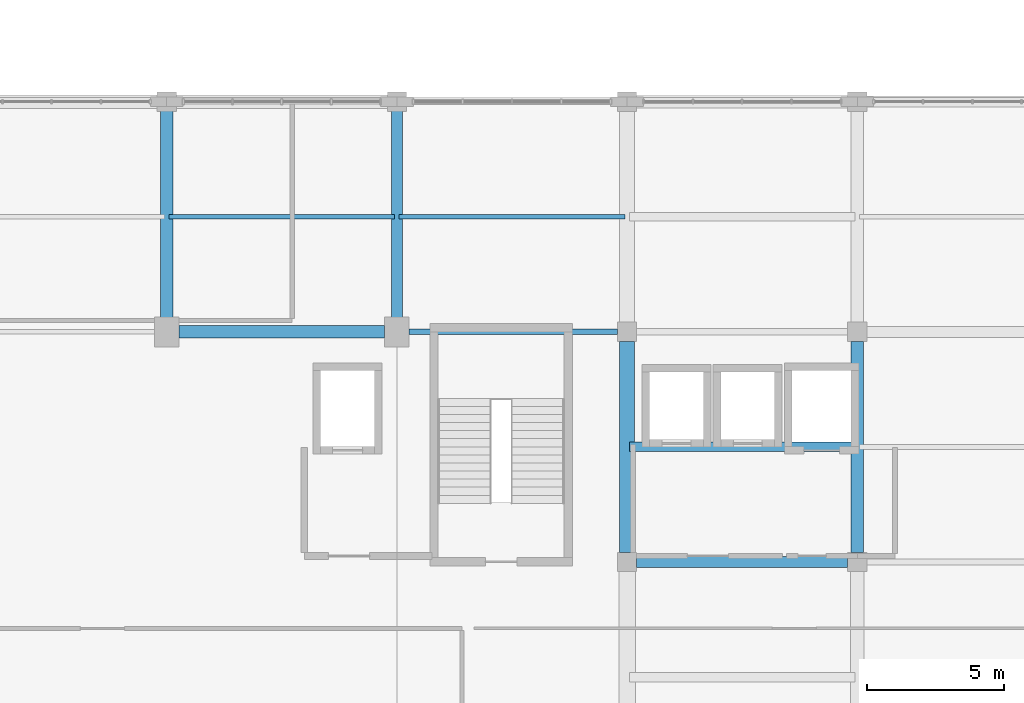
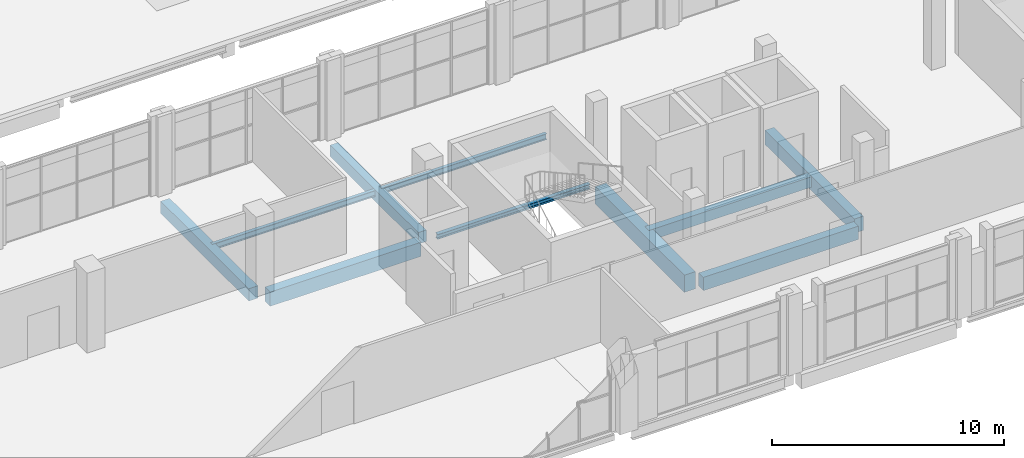
# One storey, part 20 of 64: 10 beams.
"""IFC4 building model written with IfcOpenShell, lengths in metres."""

from ifc_helpers import new_model, si_unit, derived_unit, direction, frame, origin, origin_2d, place, context, subcontext, project, spatial, rectangle, i_section, extrude, material, material_profile, profile_set, type_object, element, save


model = new_model("IFC4")

# Units and contexts
model_context = context("Model", 3, precision=1e-05, world=origin(), true_north=direction((0.0, 1.0)))
body_context = subcontext(model_context, "Body", "Model", "MODEL_VIEW")
ifc_project = project(units=[si_unit("LENGTHUNIT", "METRE"), si_unit("AREAUNIT", "SQUARE_METRE"), si_unit("VOLUMEUNIT", "CUBIC_METRE"), si_unit("PLANEANGLEUNIT", "RADIAN"), si_unit("MASSUNIT", "GRAM", prefix="KILO"), derived_unit("THERMALTRANSMITTANCEUNIT", [(si_unit("POWERUNIT", "WATT"), 1), (si_unit("LENGTHUNIT", "METRE"), -2), (si_unit("THERMODYNAMICTEMPERATUREUNIT", "KELVIN"), -1)])], contexts=[model_context])

# Site, building, storey
site_placement = place(None, origin())
site = spatial("IfcSite", under=ifc_project, at=site_placement, CompositionType="ELEMENT")
building_placement = place(site_placement, origin())
building = spatial("IfcBuilding", under=site, at=building_placement, Name="Barrovel Congress Hotel", CompositionType="ELEMENT")
storey_placement = place(building_placement, frame((0.0, 0.0, 14.10009765625)))
storey = spatial("IfcBuildingStorey", under=building, at=storey_placement, Name="L03", CompositionType="ELEMENT", Elevation=14.10009765625)

# Beams
ifc_material_1 = material(Name="Concrete C40", Category="concrete")
ifc_material_profile_1 = material_profile(ifc_material_1, rectangle(XDim=0.35009765625, YDim=0.550048828125, at=origin_2d()), Name="RC350x550")
ifc_profile_set_1 = profile_set([ifc_material_profile_1], Name="Concrete C40")
beam_type_1 = type_object("IfcBeamType", Name="BM-RC350x550", PredefinedType="JOIST", material=ifc_profile_set_1)
beam_1_placement = place(storey_placement, frame((84.080078125, 16.800048828125, -0.51513671875), z_axis=(1.0, 0.0, 0.0), x_axis=(0.0, 1.0, 0.0)))
element("IfcBeam", 1, at=beam_1_placement, inside=storey, type_object=beam_type_1, Name="JST:L03:84.0:16.8", PredefinedType="JOIST", context=body_context, shape_type="SweptSolid", body=[
    extrude(rectangle(XDim=0.35009765625, YDim=0.550048828125, at=origin_2d()), origin(), (0.0, 0.0, 1.0), 8.239990234375),
])
ifc_material_profile_2 = material_profile(ifc_material_1, rectangle(XDim=0.39990234375, YDim=0.60009765625, at=origin_2d()), Name="RC400x600")
ifc_profile_set_2 = profile_set([ifc_material_profile_2], Name="Concrete C40")
beam_type_2 = type_object("IfcBeamType", Name="BM-RC400x600", PredefinedType="BEAM", material=ifc_profile_set_2)
beam_2_placement = place(storey_placement, frame((75.60009765625, 21.449951171875, -0.5400390625), z_axis=(0.0, 1.0, 0.0), x_axis=(-1.0, 0.0, 0.0)))
element("IfcBeam", 2, at=beam_2_placement, inside=storey, type_object=beam_type_2, Name="BMY:L03:75.6:21.0-29.4", PredefinedType="BEAM", context=body_context, shape_type="SweptSolid", body=[
    extrude(rectangle(XDim=0.39990234375, YDim=0.60009765625, at=origin_2d()), origin(), (0.0, 0.0, 1.0), 7.60009765625),
])
ifc_material_profile_3 = material_profile(ifc_material_1, rectangle(XDim=0.39990234375, YDim=0.699951171875, at=origin_2d()), Name="RC400x700")
ifc_profile_set_3 = profile_set([ifc_material_profile_3], Name="Concrete C40")
beam_type_3 = type_object("IfcBeamType", Name="BM-RC400x700", PredefinedType="BEAM", material=ifc_profile_set_3)
beam_3_placement = place(storey_placement, frame((84.35009765625, 12.60009765625, -0.590087890625), z_axis=(1.0, 0.0, 0.0), x_axis=(0.0, 1.0, 0.0)))
element("IfcBeam", 3, at=beam_3_placement, inside=storey, type_object=beam_type_3, Name="BMX:L03:12.6:84.0-92.4", PredefinedType="BEAM", context=body_context, shape_type="SweptSolid", body=[
    extrude(rectangle(XDim=0.39990234375, YDim=0.699951171875, at=origin_2d()), origin(), (0.0, 0.0, 1.0), 7.699951171875),
])
ifc_material_profile_4 = material_profile(ifc_material_1, rectangle(XDim=0.449951171875, YDim=0.64990234375, at=origin_2d()), Name="RC450x650")
ifc_profile_set_4 = profile_set([ifc_material_profile_4], Name="Concrete C40")
beam_type_4 = type_object("IfcBeamType", Name="BM-RC450x650", PredefinedType="BEAM", material=ifc_profile_set_4)
beam_4_placement = place(storey_placement, frame((67.199951171875, 21.449951171875, -0.565185546875), z_axis=(0.0, 1.0, 0.0), x_axis=(-1.0, 0.0, 0.0)))
element("IfcBeam", 4, at=beam_4_placement, inside=storey, type_object=beam_type_4, Name="BMY:L03:67.2:21.0-29.4", PredefinedType="BEAM", context=body_context, shape_type="SweptSolid", body=[
    extrude(rectangle(XDim=0.449951171875, YDim=0.64990234375, at=origin_2d()), origin(), (0.0, 0.0, 1.0), 7.60009765625),
])
ifc_material_profile_5 = material_profile(ifc_material_1, rectangle(XDim=0.449951171875, YDim=0.75, at=origin_2d()), Name="RC450x750")
ifc_profile_set_5 = profile_set([ifc_material_profile_5], Name="Concrete C40")
beam_type_5 = type_object("IfcBeamType", Name="BM-RC450x750", PredefinedType="BEAM", material=ifc_profile_set_5)
beam_5_placement = place(storey_placement, frame((67.64990234375, 21.0, -0.614990234375), z_axis=(1.0, 0.0, 0.0), x_axis=(0.0, 1.0, 0.0)))
element("IfcBeam", 5, at=beam_5_placement, inside=storey, type_object=beam_type_5, Name="BMX:L03:21.0:67.2-75.6", PredefinedType="BEAM", context=body_context, shape_type="SweptSolid", body=[
    extrude(rectangle(XDim=0.449951171875, YDim=0.75, at=origin_2d()), origin(), (0.0, 0.0, 1.0), 7.5),
])
beam_6_placement = place(storey_placement, frame((92.39990234375, 12.949951171875, -0.614990234375), z_axis=(0.0, 1.0, 0.0), x_axis=(-1.0, 0.0, 0.0)))
element("IfcBeam", 6, at=beam_6_placement, inside=storey, type_object=beam_type_5, Name="BMY:L03:92.4:12.6-21.0", PredefinedType="BEAM", context=body_context, shape_type="SweptSolid", body=[
    extrude(rectangle(XDim=0.449951171875, YDim=0.75, at=origin_2d()), origin(), (0.0, 0.0, 1.0), 7.699951171875),
])
ifc_material_profile_6 = material_profile(ifc_material_1, rectangle(XDim=0.550048828125, YDim=0.89990234375, at=origin_2d()), Name="RC550x900")
ifc_profile_set_6 = profile_set([ifc_material_profile_6], Name="Concrete C40")
beam_type_6 = type_object("IfcBeamType", Name="BM-RC550x900", PredefinedType="BEAM", material=ifc_profile_set_6)
beam_7_placement = place(storey_placement, frame((84.0, 12.949951171875, -0.690185546875), z_axis=(0.0, 1.0, 0.0), x_axis=(-1.0, 0.0, 0.0)))
element("IfcBeam", 7, at=beam_7_placement, inside=storey, type_object=beam_type_6, Name="BMY:L03:84.0:12.6-21.0", PredefinedType="BEAM", context=body_context, shape_type="SweptSolid", body=[
    extrude(rectangle(XDim=0.550048828125, YDim=0.89990234375, at=origin_2d()), origin(), (0.0, 0.0, 1.0), 7.699951171875),
])
ifc_material_2 = material(Name="Steel ASTM A992 Grade 50", Category="steel")
ifc_material_profile_7 = material_profile(ifc_material_2, i_section(OverallWidth=0.201904296875, OverallDepth=0.2470703125, WebThickness=0.00732421875, FlangeThickness=0.010986328125, FilletRadius=0.011962890625, at=origin_2d()), Name="W250x49")
ifc_profile_set_7 = profile_set([ifc_material_profile_7], Name="Steel ASTM A992 Grade 50")
beam_type_7 = type_object("IfcBeamType", Name="SBM-W250x49", PredefinedType="SPANDREL", material=ifc_profile_set_7)
beam_8_placement = place(storey_placement, frame((76.050048828125, 21.0, -0.363525390625), z_axis=(1.0, 0.0, 0.0), x_axis=(0.0, 1.0, 0.0)))
element("IfcBeam", 8, at=beam_8_placement, inside=storey, type_object=beam_type_7, Name="BMX:L03:21.0:75.6-84.0", PredefinedType="SPANDREL", context=body_context, shape_type="SweptSolid", body=[
    extrude(i_section(OverallWidth=0.201904296875, OverallDepth=0.2470703125, WebThickness=0.00732421875, FlangeThickness=0.010986328125, FilletRadius=0.011962890625, at=origin_2d()), origin(), (0.0, 0.0, 1.0), 7.599853515625),
])
ifc_material_profile_8 = material_profile(ifc_material_2, i_section(OverallWidth=0.1650390625, OverallDepth=0.31005859375, WebThickness=0.005859375, FlangeThickness=0.009765625, FilletRadius=0.010986328125, at=origin_2d()), Name="W310x39")
ifc_profile_set_8 = profile_set([ifc_material_profile_8], Name="Steel ASTM A992 Grade 50")
beam_type_8 = type_object("IfcBeamType", Name="SBM-W310x39", PredefinedType="JOIST", material=ifc_profile_set_8)
beam_9_placement = place(storey_placement, frame((75.679931640625, 25.199951171875, -0.39501953125), z_axis=(1.0, 0.0, 0.0), x_axis=(0.0, 1.0, 0.0)))
element("IfcBeam", 9, at=beam_9_placement, inside=storey, type_object=beam_type_8, Name="JST:L03:75.6:25.2", PredefinedType="JOIST", context=body_context, shape_type="SweptSolid", body=[
    extrude(i_section(OverallWidth=0.1650390625, OverallDepth=0.31005859375, WebThickness=0.005859375, FlangeThickness=0.009765625, FilletRadius=0.010986328125, at=origin_2d()), origin(), (0.0, 0.0, 1.0), 8.239990234375),
])
ifc_material_profile_9 = material_profile(ifc_material_2, i_section(OverallWidth=0.1669921875, OverallDepth=0.31689453125, WebThickness=0.007568359375, FlangeThickness=0.01318359375, FilletRadius=0.010986328125, at=origin_2d()), Name="W310x52")
ifc_profile_set_9 = profile_set([ifc_material_profile_9], Name="Steel ASTM A992 Grade 50")
beam_type_9 = type_object("IfcBeamType", Name="SBM-W310x52", PredefinedType="JOIST", material=ifc_profile_set_9)
beam_10_placement = place(storey_placement, frame((67.280029296875, 25.199951171875, -0.398681640625), z_axis=(1.0, 0.0, 0.0), x_axis=(0.0, 1.0, 0.0)))
element("IfcBeam", 10, at=beam_10_placement, inside=storey, type_object=beam_type_9, Name="JST:L03:67.2:25.2", PredefinedType="JOIST", context=body_context, shape_type="SweptSolid", body=[
    extrude(i_section(OverallWidth=0.1669921875, OverallDepth=0.31689453125, WebThickness=0.007568359375, FlangeThickness=0.01318359375, FilletRadius=0.010986328125, at=origin_2d()), origin(), (0.0, 0.0, 1.0), 8.239990234375),
])

save(model, "model.ifc")
